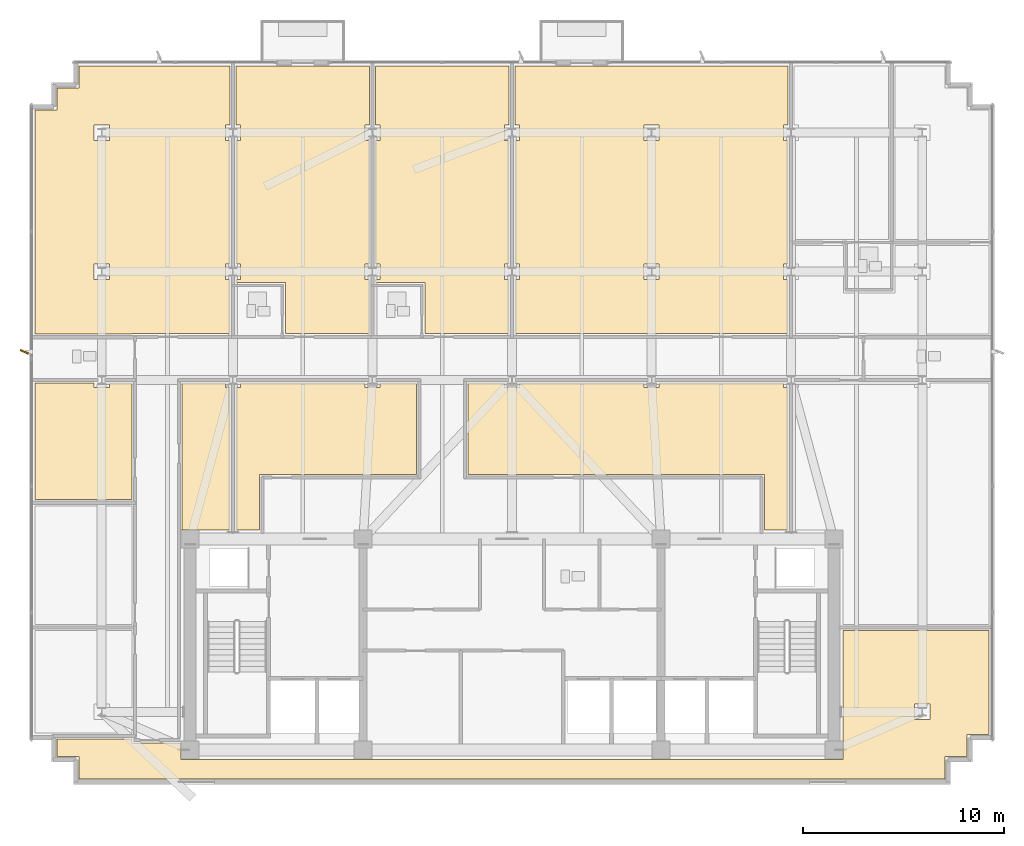
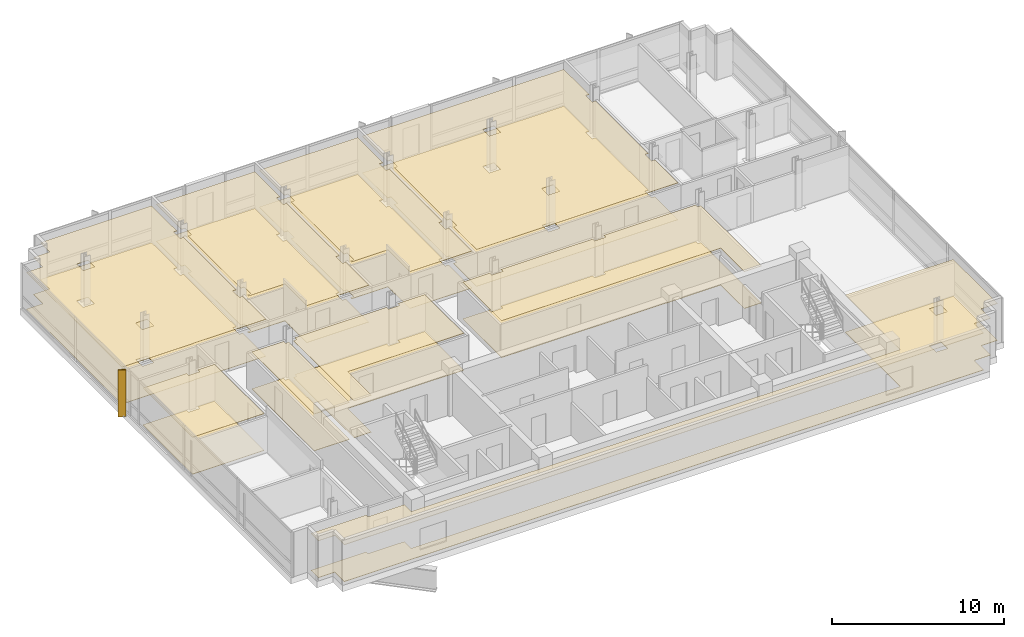
# One storey, part 13 of 16: 18 coverings, 1 shading device.
"""IFC4 building model written with IfcOpenShell, lengths in metres."""

import ifcopenshell
import ifcopenshell.guid

model = None  # the IFC model being written
_history = None  # IfcOwnerHistory: only IFC2X3 demands one
_inside = {}  # id of a spatial element -> (the spatial element, [elements in it])
_under = {}  # id of a project, library or spatial element -> (it, [spatial elements below it])
_declared = {}  # id of a project -> (the project, [libraries it declares])
_typed = {}  # id of a type object -> (the type object, [elements of that type])
_made_of = {}  # id of a material, layer set ... -> (it, [elements and type objects made of it])


def new_model(schema):
    """Start an empty IFC model of exactly this schema.

    Asked for "IFC4X3", IfcOpenShell would pick the latest addendum, in which some entities
    have other attributes; the version numbers below select the first issue.
    IFC2X3 requires an IfcOwnerHistory on every rooted entity: one is made here for all.
    """
    global model, _history
    if schema == "IFC4X3":
        model = ifcopenshell.file(schema_version=(4, 3, 0, 0))
    else:
        model = ifcopenshell.file(schema=schema)
    _inside.clear()
    _under.clear()
    _declared.clear()
    _typed.clear()
    _made_of.clear()
    _history = None
    if model.schema == "IFC2X3":
        org = make("IfcOrganization", Name="unknown")
        user = make(
            "IfcPersonAndOrganization",
            ThePerson=make("IfcPerson", FamilyName="unknown"),
            TheOrganization=org,
        )
        app = make(
            "IfcApplication",
            ApplicationDeveloper=org,
            Version="unknown",
            ApplicationFullName="unknown",
            ApplicationIdentifier="unknown",
        )
        _history = make(
            "IfcOwnerHistory",
            OwningUser=user,
            OwningApplication=app,
            ChangeAction="ADDED",
            CreationDate=0,
        )
    return model


def make(cls, **values):
    """One entity of the class cls with the attributes given. An attribute that is None is left unset."""
    return model.create_entity(
        cls, **{name: value for name, value in values.items() if value is not None}
    )


def rooted(cls, **values):
    """An entity with a GlobalId (a new one), such as an element, a storey or a relation."""
    return make(cls, GlobalId=ifcopenshell.guid.new(), OwnerHistory=_history, **values)


def si_unit(unit_type, name, prefix=None):
    """IfcSIUnit, for example si_unit("LENGTHUNIT", "METRE", prefix="MILLI")."""
    return make("IfcSIUnit", UnitType=unit_type, Prefix=prefix, Name=name)


def assignment(units):
    """IfcUnitAssignment: the units of a project."""
    return None if units is None else make("IfcUnitAssignment", Units=units)


def point(xyz):
    """IfcCartesianPoint."""
    return None if xyz is None else make("IfcCartesianPoint", Coordinates=xyz)


def direction(xyz):
    """IfcDirection."""
    return None if xyz is None else make("IfcDirection", DirectionRatios=xyz)


def frame(location, z_axis=None, x_axis=None):
    """IfcAxis2Placement3D, a coordinate frame: its origin and axes. An axis left out is left unset."""
    return make(
        "IfcAxis2Placement3D",
        Location=point(location),
        Axis=direction(z_axis),
        RefDirection=direction(x_axis),
    )


def frame_2d(location, x_axis=None):
    """IfcAxis2Placement2D, a coordinate frame in the plane: its origin and x axis."""
    return make(
        "IfcAxis2Placement2D", Location=point(location), RefDirection=direction(x_axis)
    )


def origin():
    """The frame at (0, 0, 0) with its axes left unset."""
    return frame((0.0, 0.0, 0.0))


def origin_2d():
    """The frame at (0, 0) in the plane with its x axis left unset."""
    return frame_2d((0.0, 0.0))


def place(relative_to, where):
    """IfcLocalPlacement: puts the frame where relative to a parent placement (None: the world)."""
    return make(
        "IfcLocalPlacement", PlacementRelTo=relative_to, RelativePlacement=where
    )


def context(
    kind, dimensions, precision=None, world=None, true_north=None, identifier=None
):
    """IfcGeometricRepresentationContext, for example the 3D "Model" context."""
    return make(
        "IfcGeometricRepresentationContext",
        ContextIdentifier=identifier,
        ContextType=kind,
        CoordinateSpaceDimension=dimensions,
        Precision=precision,
        WorldCoordinateSystem=world,
        TrueNorth=true_north,
    )


def subcontext(parent, identifier, kind, view, scale=None):
    """IfcGeometricRepresentationSubContext, for example "Body" below "Model"."""
    return make(
        "IfcGeometricRepresentationSubContext",
        ContextIdentifier=identifier,
        ContextType=kind,
        ParentContext=parent,
        TargetScale=scale,
        TargetView=view,
    )


def project(units=None, contexts=None):
    """IfcProject with its units and contexts."""
    return rooted(
        "IfcProject",
        Name="project",
        RepresentationContexts=contexts,
        UnitsInContext=assignment(units),
    )


def spatial(cls, under=None, at=None, **own):
    """A site, building, storey or space (cls), placed at a placement, below another one or the project."""
    s = rooted(cls, ObjectPlacement=at, **own)
    if under is not None:
        _under.setdefault(under.id(), (under, []))[1].append(s)
    return s


def polyline(points):
    """IfcPolyline through the points."""
    return make("IfcPolyline", Points=[point(p) for p in points])


def profile(cls, at=None, kind="AREA", **sizes):
    """A parametric profile (cls). Its sizes go by their IFC names, for example OverallWidth=200.0."""
    return make(cls, ProfileType=kind, Position=at, **sizes)


def rectangle(**sizes):
    """IfcRectangleProfileDef."""
    return profile("IfcRectangleProfileDef", **sizes)


def outline(outer, holes=None, kind="AREA"):
    """IfcArbitraryClosedProfileDef: a profile drawn as a closed curve; with holes, ...WithVoids."""
    if holes is None:
        return make("IfcArbitraryClosedProfileDef", ProfileType=kind, OuterCurve=outer)
    return make(
        "IfcArbitraryProfileDefWithVoids",
        ProfileType=kind,
        OuterCurve=outer,
        InnerCurves=holes,
    )


def extrude(swept, where, along, depth):
    """IfcExtrudedAreaSolid: the profile swept, set in the frame where, extruded along a direction by depth."""
    return make(
        "IfcExtrudedAreaSolid",
        SweptArea=swept,
        Position=where,
        ExtrudedDirection=direction(along),
        Depth=depth,
    )


def shape(context_of_items, identifier, shape_type, items):
    """IfcShapeRepresentation: the items that make up one representation, for example the "Body"."""
    return make(
        "IfcShapeRepresentation",
        ContextOfItems=context_of_items,
        RepresentationIdentifier=identifier,
        RepresentationType=shape_type,
        Items=items,
    )


def material(Name=None, Category=None):
    """IfcMaterial."""
    return make("IfcMaterial", Name=Name, Category=Category)


def layer(
    of_material, thickness, ventilated=None, Name=None, Category=None, Priority=None
):
    """IfcMaterialLayer: one layer of a wall or slab, of a material (None: an air gap)."""
    return make(
        "IfcMaterialLayer",
        Material=of_material,
        LayerThickness=thickness,
        IsVentilated=ventilated,
        Name=Name,
        Category=Category,
        Priority=Priority,
    )


def layer_set(layers, Name=None):
    """IfcMaterialLayerSet."""
    return make("IfcMaterialLayerSet", MaterialLayers=layers, LayerSetName=Name)


def made_of(thing, what):
    """Note that an element or type object is made of a material, layer set ...; save() writes the relation."""
    if what is not None:
        _made_of.setdefault(what.id(), (what, []))[1].append(thing)
    return thing


def type_object(cls, material=None, **own):
    """A type object (cls), such as IfcWallType, which elements share."""
    return made_of(rooted(cls, **own), material)


def element(
    cls,
    number,
    at=None,
    inside=None,
    cuts=None,
    type_object=None,
    material=None,
    context=None,
    identifier="Body",
    shape_type=None,
    held_by="IfcProductDefinitionShape",
    body=None,
    shapes=None,
    **own,
):
    """One element of the class cls, such as IfcWall. Its Tag is "e" and its number.

    at: its placement. inside: the storey or other place that contains it. cuts: it is an
    opening in that element (IfcRelVoidsElement). A single representation is given by context,
    identifier, shape_type and body (its items); several are given by shapes. held_by: the class
    of the entity that holds the representations. save() writes the other relations.
    """
    e = rooted(cls, Tag="e%d" % number, ObjectPlacement=at, **own)
    if body is not None:
        shapes = [shape(context, identifier, shape_type, body)]
    if shapes is not None:
        e.Representation = make(held_by, Representations=shapes)
    if inside is not None:
        _inside.setdefault(inside.id(), (inside, []))[1].append(e)
    if cuts is not None:
        rooted(
            "IfcRelVoidsElement", RelatingBuildingElement=cuts, RelatedOpeningElement=e
        )
    if type_object is not None:
        _typed.setdefault(type_object.id(), (type_object, []))[1].append(e)
    return made_of(e, material)


def aggregate(whole, parts):
    """IfcRelAggregates: a whole, such as a stair, and the parts it consists of."""
    return rooted("IfcRelAggregates", RelatingObject=whole, RelatedObjects=parts)


def save(model, path):
    """Write the relations noted so far, then the file.

    IfcRelAggregates (storeys below a building ...), IfcRelContainedInSpatialStructure (elements
    in a storey), IfcRelDefinesByType, IfcRelAssociatesMaterial and IfcRelDeclares: one each for
    every whole, place, type object, material and project.
    """
    for whole, parts in _under.values():
        aggregate(whole, parts)
    for where, things in _inside.values():
        rooted(
            "IfcRelContainedInSpatialStructure",
            RelatedElements=things,
            RelatingStructure=where,
        )
    for kind, things in _typed.values():
        rooted("IfcRelDefinesByType", RelatedObjects=things, RelatingType=kind)
    for what, things in _made_of.values():
        rooted("IfcRelAssociatesMaterial", RelatedObjects=things, RelatingMaterial=what)
    for by, libraries in _declared.values():
        rooted("IfcRelDeclares", RelatingContext=by, RelatedDefinitions=libraries)
    model.write(path)


model = new_model("IFC4")

# Units and contexts
model_context = context("Model", 3, precision=1e-05, world=origin(), true_north=direction((0.0, 1.0)))
body_context = subcontext(model_context, "Body", "Model", "MODEL_VIEW")
ifc_project = project(units=[si_unit("LENGTHUNIT", "METRE"), si_unit("AREAUNIT", "SQUARE_METRE"), si_unit("VOLUMEUNIT", "CUBIC_METRE"), si_unit("PLANEANGLEUNIT", "RADIAN"), si_unit("MASSUNIT", "GRAM", prefix="KILO")], contexts=[model_context])

# Site, building, storey
site_placement = place(None, origin())
site = spatial("IfcSite", under=ifc_project, at=site_placement, CompositionType="ELEMENT")
building_placement = place(site_placement, origin())
building = spatial("IfcBuilding", under=site, at=building_placement, Name="Solmavex Isthmus Hotel", CompositionType="ELEMENT")
storey_placement = place(building_placement, frame((0.0, 0.0, 245.39990234375)))
storey = spatial("IfcBuildingStorey", under=building, at=storey_placement, Name="L66", CompositionType="ELEMENT", Elevation=245.39990234375)

# Coverings
ifc_material_1 = material(Name="Gypsum plasterboard lining", Category="gypsum")
ifc_layer_1 = layer(ifc_material_1, 0.030029296875)
ifc_layer_set_1 = layer_set([ifc_layer_1], Name="Gypsum plasterboard lining")
covering_type_1 = type_object("IfcCoveringType", Name="COV-CEIL-GYP", PredefinedType="CEILING", material=ifc_layer_set_1)
covering_1_placement = place(storey_placement, frame((0.0, 0.0, 2.6201171875)))
element("IfcCovering", 1, at=covering_1_placement, inside=storey, type_object=covering_type_1, Name="Suspended Acoustic Ceiling L66-RM01", PredefinedType="CEILING", context=body_context, shape_type="SweptSolid", body=[
    extrude(outline(polyline([(-18.905029296875, 7.68505859375), (-18.905029296875, 7.705078125), (-14.027099609375, 7.705078125), (-14.027099609375, 10.407958984375), (-14.251953125, 10.407958984375), (-14.251953125, 11.16796875), (-14.027099609375, 11.16796875), (-14.027099609375, 17.320068359375), (-14.251953125, 17.320068359375), (-14.251953125, 18.080078125), (-14.027099609375, 18.080078125), (-14.027099609375, 21.02490234375), (-21.52490234375, 21.02490234375), (-21.52490234375, 19.925048828125), (-22.625, 19.925048828125), (-22.625, 18.824951171875), (-23.72509765625, 18.824951171875), (-23.72509765625, 7.68505859375), (-18.905029296875, 7.68505859375)]), holes=[polyline([(-20.780029296875, 10.407958984375), (-20.780029296875, 11.16796875), (-20.02001953125, 11.16796875), (-20.02001953125, 10.407958984375), (-20.780029296875, 10.407958984375)]), polyline([(-20.780029296875, 17.320068359375), (-20.780029296875, 18.080078125), (-20.02001953125, 18.080078125), (-20.02001953125, 17.320068359375), (-20.780029296875, 17.320068359375)])]), origin(), (0.0, 0.0, 1.0), 0.030029296875),
])
covering_2_placement = place(storey_placement, frame((0.0, 0.0, 2.6201171875)))
element("IfcCovering", 2, at=covering_2_placement, inside=storey, type_object=covering_type_1, Name="Suspended Acoustic Ceiling L66-RM02", PredefinedType="CEILING", context=body_context, shape_type="SweptSolid", body=[
    extrude(outline(polyline([(-13.717041015625, 11.16796875), (-13.491943359375, 11.16796875), (-13.491943359375, 10.407958984375), (-13.717041015625, 10.407958984375), (-13.717041015625, 10.2548828125), (-11.26708984375, 10.2548828125), (-11.26708984375, 7.705078125), (-7.091064453125, 7.705078125), (-7.091064453125, 10.407958984375), (-7.31591796875, 10.407958984375), (-7.31591796875, 11.16796875), (-7.091064453125, 11.16796875), (-7.091064453125, 17.320068359375), (-7.31591796875, 17.320068359375), (-7.31591796875, 18.080078125), (-7.091064453125, 18.080078125), (-7.091064453125, 21.02490234375), (-13.717041015625, 21.02490234375), (-13.717041015625, 18.080078125), (-13.491943359375, 18.080078125), (-13.491943359375, 17.320068359375), (-13.717041015625, 17.320068359375), (-13.717041015625, 11.16796875)])), origin(), (0.0, 0.0, 1.0), 0.030029296875),
])
covering_3_placement = place(storey_placement, frame((0.0, 0.0, 2.6201171875)))
element("IfcCovering", 3, at=covering_3_placement, inside=storey, type_object=covering_type_1, Name="Suspended Acoustic Ceiling L66-RM03", PredefinedType="CEILING", context=body_context, shape_type="SweptSolid", body=[
    extrude(outline(polyline([(-6.781005859375, 11.16796875), (-6.555908203125, 11.16796875), (-6.555908203125, 10.407958984375), (-6.781005859375, 10.407958984375), (-6.781005859375, 10.2548828125), (-4.3310546875, 10.2548828125), (-4.3310546875, 7.705078125), (-0.155029296875, 7.705078125), (-0.155029296875, 10.407958984375), (-0.3798828125, 10.407958984375), (-0.3798828125, 11.16796875), (-0.155029296875, 11.16796875), (-0.155029296875, 17.320068359375), (-0.3798828125, 17.320068359375), (-0.3798828125, 18.080078125), (-0.155029296875, 18.080078125), (-0.155029296875, 21.02490234375), (-6.781005859375, 21.02490234375), (-6.781005859375, 18.080078125), (-6.555908203125, 18.080078125), (-6.555908203125, 17.320068359375), (-6.781005859375, 17.320068359375), (-6.781005859375, 11.16796875)])), origin(), (0.0, 0.0, 1.0), 0.030029296875),
])
covering_4_placement = place(storey_placement, frame((0.0, 0.0, 2.6201171875)))
element("IfcCovering", 4, at=covering_4_placement, inside=storey, type_object=covering_type_1, Name="Suspended Acoustic Ceiling L66-RM04", PredefinedType="CEILING", context=body_context, shape_type="SweptSolid", body=[
    extrude(outline(polyline([(0.155029296875, 11.16796875), (0.3798828125, 11.16796875), (0.3798828125, 10.407958984375), (0.155029296875, 10.407958984375), (0.155029296875, 7.705078125), (13.717041015625, 7.705078125), (13.717041015625, 10.407958984375), (13.491943359375, 10.407958984375), (13.491943359375, 11.16796875), (13.717041015625, 11.16796875), (13.717041015625, 17.320068359375), (13.491943359375, 17.320068359375), (13.491943359375, 18.080078125), (13.717041015625, 18.080078125), (13.717041015625, 21.02490234375), (0.155029296875, 21.02490234375), (0.155029296875, 18.080078125), (0.3798828125, 18.080078125), (0.3798828125, 17.320068359375), (0.155029296875, 17.320068359375), (0.155029296875, 11.16796875)]), holes=[polyline([(6.555908203125, 10.407958984375), (6.555908203125, 11.16796875), (7.31591796875, 11.16796875), (7.31591796875, 10.407958984375), (6.555908203125, 10.407958984375)]), polyline([(6.555908203125, 17.320068359375), (6.555908203125, 18.080078125), (7.31591796875, 18.080078125), (7.31591796875, 17.320068359375), (6.555908203125, 17.320068359375)])]), origin(), (0.0, 0.0, 1.0), 0.030029296875),
])
covering_5_placement = place(storey_placement, frame((0.0, 0.0, 2.6201171875)))
element("IfcCovering", 5, at=covering_5_placement, inside=storey, type_object=covering_type_1, Name="Suspended Acoustic Ceiling L66-FL08", PredefinedType="CEILING", context=body_context, shape_type="SweptSolid", body=[
    extrude(outline(polyline([(-16.39501953125, -2.044921875), (-14.027099609375, -2.044921875), (-14.027099609375, 5.02001953125), (-14.251953125, 5.02001953125), (-14.251953125, 5.2451171875), (-16.39501953125, 5.2451171875), (-16.39501953125, -2.044921875)])), origin(), (0.0, 0.0, 1.0), 0.030029296875),
])
covering_6_placement = place(storey_placement, frame((0.0, 0.0, 2.6201171875)))
element("IfcCovering", 6, at=covering_6_placement, inside=storey, type_object=covering_type_1, Name="Suspended Acoustic Ceiling L66-FL10", PredefinedType="CEILING", context=body_context, shape_type="SweptSolid", body=[
    extrude(outline(polyline([(-20.02001953125, 5.2451171875), (-20.02001953125, 5.02001953125), (-20.780029296875, 5.02001953125), (-20.780029296875, 5.2451171875), (-23.72509765625, 5.2451171875), (-23.72509765625, -0.544921875), (-18.905029296875, -0.544921875), (-18.905029296875, 5.2451171875), (-20.02001953125, 5.2451171875)])), origin(), (0.0, 0.0, 1.0), 0.030029296875),
])
covering_7_placement = place(storey_placement, frame((0.0, 0.0, 2.6201171875)))
element("IfcCovering", 7, at=covering_7_placement, inside=storey, type_object=covering_type_1, Name="Suspended Acoustic Ceiling L66-FL12", PredefinedType="CEILING", context=body_context, shape_type="SweptSolid", body=[
    extrude(outline(polyline([(-6.555908203125, 5.2451171875), (-6.555908203125, 5.02001953125), (-7.31591796875, 5.02001953125), (-7.31591796875, 5.2451171875), (-13.491943359375, 5.2451171875), (-13.491943359375, 5.02001953125), (-13.717041015625, 5.02001953125), (-13.717041015625, -2.044921875), (-12.554931640625, -2.044921875), (-12.554931640625, 0.705078125), (-4.742919921875, 0.705078125), (-4.742919921875, 5.2451171875), (-6.555908203125, 5.2451171875)])), origin(), (0.0, 0.0, 1.0), 0.030029296875),
])
covering_8_placement = place(storey_placement, frame((0.0, 0.0, 2.6201171875)))
element("IfcCovering", 8, at=covering_8_placement, inside=storey, type_object=covering_type_1, Name="Suspended Acoustic Ceiling L66-FL13", PredefinedType="CEILING", context=body_context, shape_type="SweptSolid", body=[
    extrude(outline(polyline([(0.3798828125, 5.2451171875), (0.3798828125, 5.02001953125), (-0.3798828125, 5.02001953125), (-0.3798828125, 5.2451171875), (-2.193115234375, 5.2451171875), (-2.193115234375, 0.705078125), (12.554931640625, 0.705078125), (12.554931640625, -2.044921875), (13.717041015625, -2.044921875), (13.717041015625, 5.02001953125), (13.491943359375, 5.02001953125), (13.491943359375, 5.2451171875), (7.31591796875, 5.2451171875), (7.31591796875, 5.02001953125), (6.555908203125, 5.02001953125), (6.555908203125, 5.2451171875), (0.3798828125, 5.2451171875)])), origin(), (0.0, 0.0, 1.0), 0.030029296875),
])
covering_9_placement = place(storey_placement, frame((0.0, 0.0, 2.6201171875)))
element("IfcCovering", 9, at=covering_9_placement, inside=storey, type_object=covering_type_1, Name="Suspended Acoustic Ceiling L66-FL14", PredefinedType="CEILING", context=body_context, shape_type="SweptSolid", body=[
    extrude(outline(polyline([(-22.625, -12.455078125), (-22.625, -13.324951171875), (-21.52490234375, -13.324951171875), (-21.52490234375, -14.425048828125), (21.52490234375, -14.425048828125), (21.52490234375, -13.324951171875), (22.625, -13.324951171875), (22.625, -12.22509765625), (23.72509765625, -12.22509765625), (23.72509765625, -7.054931640625), (16.455078125, -7.054931640625), (16.455078125, -13.455078125), (-16.455078125, -13.455078125), (-16.455078125, -12.655029296875), (-18.905029296875, -12.655029296875), (-18.905029296875, -12.455078125), (-22.625, -12.455078125)]), holes=[polyline([(20.02001953125, -11.47998046875), (20.02001953125, -10.719970703125), (20.780029296875, -10.719970703125), (20.780029296875, -11.47998046875), (20.02001953125, -11.47998046875)])]), origin(), (0.0, 0.0, 1.0), 0.030029296875),
])
ifc_material_2 = material(Name="Travertine natural stone", Category="masonry")
ifc_layer_2 = layer(ifc_material_2, 0.02490234375)
ifc_layer_set_2 = layer_set([ifc_layer_2], Name="Travertine natural stone")
covering_type_2 = type_object("IfcCoveringType", Name="COV-FLOR-STN", PredefinedType="FLOORING", material=ifc_layer_set_2)
covering_10_placement = place(storey_placement, origin())
element("IfcCovering", 10, at=covering_10_placement, inside=storey, type_object=covering_type_2, Name="Stone and Timber Floor Finish L66-RM01", PredefinedType="FLOORING", context=body_context, shape_type="SweptSolid", body=[
    extrude(outline(polyline([(-18.905029296875, 7.68505859375), (-18.905029296875, 7.705078125), (-14.027099609375, 7.705078125), (-14.027099609375, 10.407958984375), (-14.251953125, 10.407958984375), (-14.251953125, 11.16796875), (-14.027099609375, 11.16796875), (-14.027099609375, 17.320068359375), (-14.251953125, 17.320068359375), (-14.251953125, 18.080078125), (-14.027099609375, 18.080078125), (-14.027099609375, 21.02490234375), (-21.52490234375, 21.02490234375), (-21.52490234375, 19.925048828125), (-22.625, 19.925048828125), (-22.625, 18.824951171875), (-23.72509765625, 18.824951171875), (-23.72509765625, 7.68505859375), (-18.905029296875, 7.68505859375)]), holes=[polyline([(-20.780029296875, 10.407958984375), (-20.780029296875, 11.16796875), (-20.02001953125, 11.16796875), (-20.02001953125, 10.407958984375), (-20.780029296875, 10.407958984375)]), polyline([(-20.780029296875, 17.320068359375), (-20.780029296875, 18.080078125), (-20.02001953125, 18.080078125), (-20.02001953125, 17.320068359375), (-20.780029296875, 17.320068359375)])]), origin(), (0.0, 0.0, 1.0), 0.025146484375),
])
covering_11_placement = place(storey_placement, origin())
element("IfcCovering", 11, at=covering_11_placement, inside=storey, type_object=covering_type_2, Name="Stone and Timber Floor Finish L66-RM02", PredefinedType="FLOORING", context=body_context, shape_type="SweptSolid", body=[
    extrude(outline(polyline([(-13.717041015625, 11.16796875), (-13.491943359375, 11.16796875), (-13.491943359375, 10.407958984375), (-13.717041015625, 10.407958984375), (-13.717041015625, 10.2548828125), (-11.26708984375, 10.2548828125), (-11.26708984375, 7.705078125), (-7.091064453125, 7.705078125), (-7.091064453125, 10.407958984375), (-7.31591796875, 10.407958984375), (-7.31591796875, 11.16796875), (-7.091064453125, 11.16796875), (-7.091064453125, 17.320068359375), (-7.31591796875, 17.320068359375), (-7.31591796875, 18.080078125), (-7.091064453125, 18.080078125), (-7.091064453125, 21.02490234375), (-13.717041015625, 21.02490234375), (-13.717041015625, 18.080078125), (-13.491943359375, 18.080078125), (-13.491943359375, 17.320068359375), (-13.717041015625, 17.320068359375), (-13.717041015625, 11.16796875)])), origin(), (0.0, 0.0, 1.0), 0.025146484375),
])
covering_12_placement = place(storey_placement, origin())
element("IfcCovering", 12, at=covering_12_placement, inside=storey, type_object=covering_type_2, Name="Stone and Timber Floor Finish L66-RM03", PredefinedType="FLOORING", context=body_context, shape_type="SweptSolid", body=[
    extrude(outline(polyline([(-6.781005859375, 11.16796875), (-6.555908203125, 11.16796875), (-6.555908203125, 10.407958984375), (-6.781005859375, 10.407958984375), (-6.781005859375, 10.2548828125), (-4.3310546875, 10.2548828125), (-4.3310546875, 7.705078125), (-0.155029296875, 7.705078125), (-0.155029296875, 10.407958984375), (-0.3798828125, 10.407958984375), (-0.3798828125, 11.16796875), (-0.155029296875, 11.16796875), (-0.155029296875, 17.320068359375), (-0.3798828125, 17.320068359375), (-0.3798828125, 18.080078125), (-0.155029296875, 18.080078125), (-0.155029296875, 21.02490234375), (-6.781005859375, 21.02490234375), (-6.781005859375, 18.080078125), (-6.555908203125, 18.080078125), (-6.555908203125, 17.320068359375), (-6.781005859375, 17.320068359375), (-6.781005859375, 11.16796875)])), origin(), (0.0, 0.0, 1.0), 0.025146484375),
])
covering_13_placement = place(storey_placement, origin())
element("IfcCovering", 13, at=covering_13_placement, inside=storey, type_object=covering_type_2, Name="Stone and Timber Floor Finish L66-RM04", PredefinedType="FLOORING", context=body_context, shape_type="SweptSolid", body=[
    extrude(outline(polyline([(0.155029296875, 11.16796875), (0.3798828125, 11.16796875), (0.3798828125, 10.407958984375), (0.155029296875, 10.407958984375), (0.155029296875, 7.705078125), (13.717041015625, 7.705078125), (13.717041015625, 10.407958984375), (13.491943359375, 10.407958984375), (13.491943359375, 11.16796875), (13.717041015625, 11.16796875), (13.717041015625, 17.320068359375), (13.491943359375, 17.320068359375), (13.491943359375, 18.080078125), (13.717041015625, 18.080078125), (13.717041015625, 21.02490234375), (0.155029296875, 21.02490234375), (0.155029296875, 18.080078125), (0.3798828125, 18.080078125), (0.3798828125, 17.320068359375), (0.155029296875, 17.320068359375), (0.155029296875, 11.16796875)]), holes=[polyline([(6.555908203125, 10.407958984375), (6.555908203125, 11.16796875), (7.31591796875, 11.16796875), (7.31591796875, 10.407958984375), (6.555908203125, 10.407958984375)]), polyline([(6.555908203125, 17.320068359375), (6.555908203125, 18.080078125), (7.31591796875, 18.080078125), (7.31591796875, 17.320068359375), (6.555908203125, 17.320068359375)])]), origin(), (0.0, 0.0, 1.0), 0.025146484375),
])
covering_14_placement = place(storey_placement, origin())
element("IfcCovering", 14, at=covering_14_placement, inside=storey, type_object=covering_type_2, Name="Stone and Timber Floor Finish L66-FL08", PredefinedType="FLOORING", context=body_context, shape_type="SweptSolid", body=[
    extrude(outline(polyline([(-16.39501953125, -2.044921875), (-14.027099609375, -2.044921875), (-14.027099609375, 5.02001953125), (-14.251953125, 5.02001953125), (-14.251953125, 5.2451171875), (-16.39501953125, 5.2451171875), (-16.39501953125, -2.044921875)])), origin(), (0.0, 0.0, 1.0), 0.025146484375),
])
covering_15_placement = place(storey_placement, origin())
element("IfcCovering", 15, at=covering_15_placement, inside=storey, type_object=covering_type_2, Name="Stone and Timber Floor Finish L66-FL10", PredefinedType="FLOORING", context=body_context, shape_type="SweptSolid", body=[
    extrude(outline(polyline([(-20.02001953125, 5.2451171875), (-20.02001953125, 5.02001953125), (-20.780029296875, 5.02001953125), (-20.780029296875, 5.2451171875), (-23.72509765625, 5.2451171875), (-23.72509765625, -0.544921875), (-18.905029296875, -0.544921875), (-18.905029296875, 5.2451171875), (-20.02001953125, 5.2451171875)])), origin(), (0.0, 0.0, 1.0), 0.025146484375),
])
covering_16_placement = place(storey_placement, origin())
element("IfcCovering", 16, at=covering_16_placement, inside=storey, type_object=covering_type_2, Name="Stone and Timber Floor Finish L66-FL12", PredefinedType="FLOORING", context=body_context, shape_type="SweptSolid", body=[
    extrude(outline(polyline([(-6.555908203125, 5.2451171875), (-6.555908203125, 5.02001953125), (-7.31591796875, 5.02001953125), (-7.31591796875, 5.2451171875), (-13.491943359375, 5.2451171875), (-13.491943359375, 5.02001953125), (-13.717041015625, 5.02001953125), (-13.717041015625, -2.044921875), (-12.554931640625, -2.044921875), (-12.554931640625, 0.705078125), (-4.742919921875, 0.705078125), (-4.742919921875, 5.2451171875), (-6.555908203125, 5.2451171875)])), origin(), (0.0, 0.0, 1.0), 0.025146484375),
])
covering_17_placement = place(storey_placement, origin())
element("IfcCovering", 17, at=covering_17_placement, inside=storey, type_object=covering_type_2, Name="Stone and Timber Floor Finish L66-FL13", PredefinedType="FLOORING", context=body_context, shape_type="SweptSolid", body=[
    extrude(outline(polyline([(0.3798828125, 5.2451171875), (0.3798828125, 5.02001953125), (-0.3798828125, 5.02001953125), (-0.3798828125, 5.2451171875), (-2.193115234375, 5.2451171875), (-2.193115234375, 0.705078125), (12.554931640625, 0.705078125), (12.554931640625, -2.044921875), (13.717041015625, -2.044921875), (13.717041015625, 5.02001953125), (13.491943359375, 5.02001953125), (13.491943359375, 5.2451171875), (7.31591796875, 5.2451171875), (7.31591796875, 5.02001953125), (6.555908203125, 5.02001953125), (6.555908203125, 5.2451171875), (0.3798828125, 5.2451171875)])), origin(), (0.0, 0.0, 1.0), 0.025146484375),
])
covering_18_placement = place(storey_placement, origin())
element("IfcCovering", 18, at=covering_18_placement, inside=storey, type_object=covering_type_2, Name="Stone and Timber Floor Finish L66-FL14", PredefinedType="FLOORING", context=body_context, shape_type="SweptSolid", body=[
    extrude(outline(polyline([(-22.625, -12.455078125), (-22.625, -13.324951171875), (-21.52490234375, -13.324951171875), (-21.52490234375, -14.425048828125), (21.52490234375, -14.425048828125), (21.52490234375, -13.324951171875), (22.625, -13.324951171875), (22.625, -12.22509765625), (23.72509765625, -12.22509765625), (23.72509765625, -7.054931640625), (16.455078125, -7.054931640625), (16.455078125, -13.455078125), (-16.455078125, -13.455078125), (-16.455078125, -12.655029296875), (-18.905029296875, -12.655029296875), (-18.905029296875, -12.455078125), (-22.625, -12.455078125)]), holes=[polyline([(20.02001953125, -11.47998046875), (20.02001953125, -10.719970703125), (20.780029296875, -10.719970703125), (20.780029296875, -11.47998046875), (20.02001953125, -11.47998046875)])]), origin(), (0.0, 0.0, 1.0), 0.025146484375),
])

# Shading device
ifc_material_3 = material(Name="Aluminium alloy 6063-T6", Category="aluminium")
shading_device_type = type_object("IfcShadingDeviceType", Name="SHD-FIN-BRONZE", PredefinedType="USERDEFINED", material=ifc_material_3)
shading_device_placement = place(storey_placement, frame((-24.239990234375, 6.800048828125, -0.139892578125), z_axis=(0.0, 0.0, 1.0), x_axis=(-0.913545457643, 0.406736643076, 0.0)))
element("IfcShadingDevice", 19, at=shading_device_placement, inside=storey, type_object=shading_device_type, Name="Anodised Aluminium Solar Fin L66-W1", ObjectType="SOLAR_FIN", PredefinedType="USERDEFINED", context=body_context, shape_type="SweptSolid", body=[
    extrude(rectangle(XDim=0.449951171875, YDim=0.080078125, at=origin_2d()), origin(), (0.0, 0.0, 1.0), 3.330078125),
])

save(model, "model.ifc")
